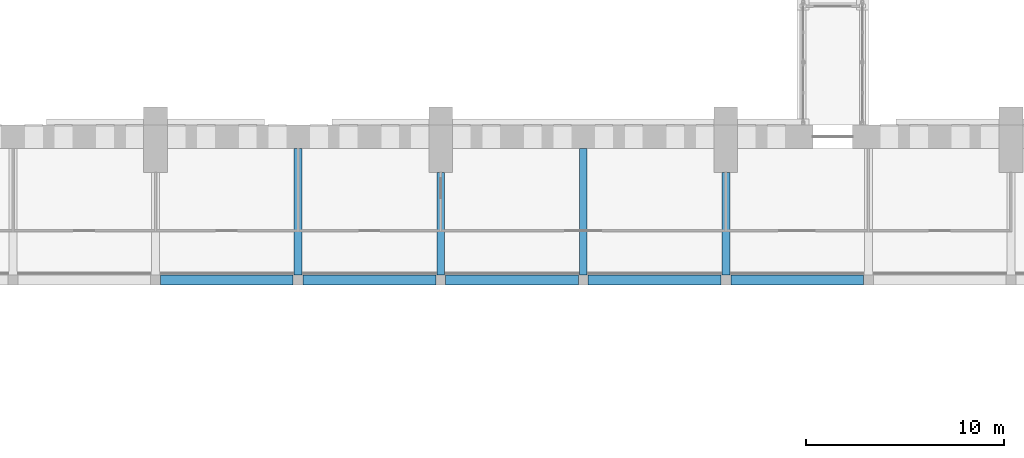
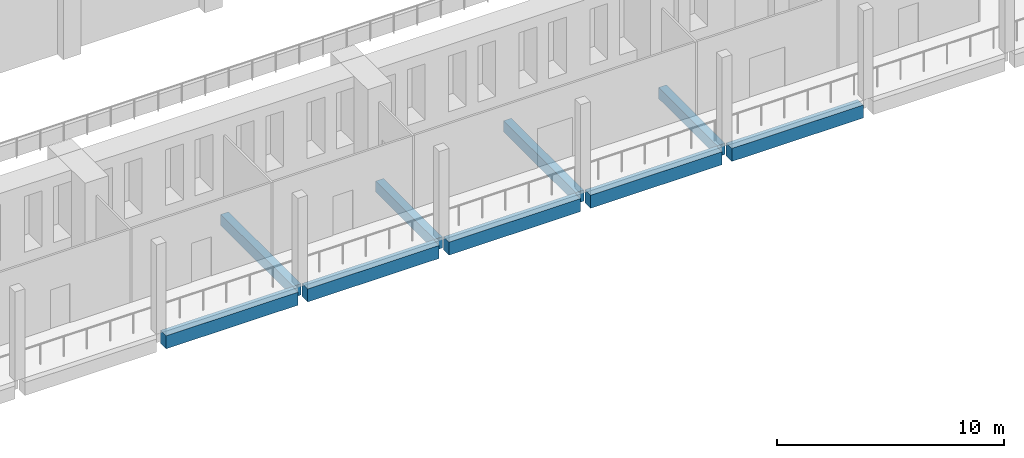
# One storey, part 45 of 131: 9 beams.
"""IFC4 building model written with IfcOpenShell, lengths in metres."""

from ifc_helpers import new_model, si_unit, direction, frame, origin, origin_2d, place, context, subcontext, project, spatial, rectangle, extrude, material, material_profile, profile_set, type_object, element, save


model = new_model("IFC4")

# Units and contexts
model_context = context("Model", 3, precision=1e-05, world=origin(), true_north=direction((0.0, 1.0)))
body_context = subcontext(model_context, "Body", "Model", "MODEL_VIEW")
ifc_project = project(units=[si_unit("LENGTHUNIT", "METRE"), si_unit("AREAUNIT", "SQUARE_METRE"), si_unit("VOLUMEUNIT", "CUBIC_METRE"), si_unit("PLANEANGLEUNIT", "RADIAN"), si_unit("MASSUNIT", "GRAM", prefix="KILO")], contexts=[model_context])

# Site, building, storey
site_placement = place(None, origin())
site = spatial("IfcSite", under=ifc_project, at=site_placement, CompositionType="ELEMENT")
building_placement = place(site_placement, origin())
building = spatial("IfcBuilding", under=site, at=building_placement, Name="Alderwick Market Hall", CompositionType="ELEMENT")
storey_placement = place(building_placement, frame((0.0, 0.0, 4.800048828125)))
storey = spatial("IfcBuildingStorey", under=building, at=storey_placement, Name="L00", CompositionType="ELEMENT", Elevation=4.800048828125)

# Beams
ifc_material = material(Name="Concrete 5000 psi (f'c 35 MPa)", Category="concrete")
ifc_material_profile_1 = material_profile(ifc_material, rectangle(XDim=0.5, YDim=0.699951171875, at=origin_2d()), Name="RC 500x700")
ifc_profile_set_1 = profile_set([ifc_material_profile_1], Name="Concrete 5000 psi (f'c 35 MPa)")
beam_type_1 = type_object("IfcBeamType", Name="H Edge beam 500x700", PredefinedType="BEAM", material=ifc_profile_set_1)
for number, where, z_axis, x_axis, name in (
    (1, (93.85009765625, 100.760009765625, -0.60009765625), (1.0, 0.0, 0.0), (0.0, 1.0, 0.0), "Gallery edge beam N"),
    (2, (101.050048828125, 100.760009765625, -0.60009765625), (1.0, 0.0, 0.0), (0.0, 1.0, 0.0), "Gallery edge beam N"),
    (3, (108.25, 100.760009765625, -0.60009765625), (1.0, 0.0, 0.0), (0.0, 1.0, 0.0), "Gallery edge beam N"),
    (4, (115.449951171875, 100.760009765625, -0.60009765625), (1.0, 0.0, 0.0), (0.0, 1.0, 0.0), "Gallery edge beam N"),
):
    element("IfcBeam", number, at=place(storey_placement, frame(where, z_axis=z_axis, x_axis=x_axis)), inside=storey, type_object=beam_type_1, Name=name, PredefinedType="BEAM", context=body_context, shape_type="SweptSolid", body=[
        extrude(rectangle(XDim=0.5, YDim=0.699951171875, at=origin_2d()), origin(), (0.0, 0.0, 1.0), 6.699951171875),
    ])
beam_1_placement = place(storey_placement, frame((122.64990234375, 100.760009765625, -0.60009765625), z_axis=(1.0, 0.0, 0.0), x_axis=(0.0, 1.0, 0.0)))
element("IfcBeam", 5, at=beam_1_placement, inside=storey, type_object=beam_type_1, Name="Gallery edge beam N", PredefinedType="BEAM", context=body_context, shape_type="SweptSolid", body=[
    extrude(rectangle(XDim=0.5, YDim=0.699951171875, at=origin_2d()), origin(), (0.0, 0.0, 1.0), 6.7001953125),
])
ifc_material_profile_2 = material_profile(ifc_material, rectangle(XDim=0.39990234375, YDim=0.60009765625, at=origin_2d()), Name="RC 400x600")
ifc_profile_set_2 = profile_set([ifc_material_profile_2], Name="Concrete 5000 psi (f'c 35 MPa)")
beam_type_2 = type_object("IfcBeamType", Name="H Gallery beam 400x600", PredefinedType="BEAM", material=ifc_profile_set_2)
beam_2_placement = place(storey_placement, frame((100.800048828125, 107.39990234375, -0.550048828125), z_axis=(0.0, -1.0, 0.0), x_axis=(1.0, 0.0, 0.0)))
element("IfcBeam", 6, at=beam_2_placement, inside=storey, type_object=beam_type_2, Name="Gallery beam N", PredefinedType="BEAM", context=body_context, shape_type="SweptSolid", body=[
    extrude(rectangle(XDim=0.39990234375, YDim=0.60009765625, at=origin_2d()), origin(), (0.0, 0.0, 1.0), 6.389892578125),
])
beam_3_placement = place(storey_placement, frame((108.0, 106.199951171875, -0.550048828125), z_axis=(0.0, -1.0, 0.0), x_axis=(1.0, 0.0, 0.0)))
element("IfcBeam", 7, at=beam_3_placement, inside=storey, type_object=beam_type_2, Name="Gallery beam N", PredefinedType="BEAM", context=body_context, shape_type="SweptSolid", body=[
    extrude(rectangle(XDim=0.39990234375, YDim=0.60009765625, at=origin_2d()), origin(), (0.0, 0.0, 1.0), 5.18994140625),
])
beam_4_placement = place(storey_placement, frame((115.199951171875, 107.39990234375, -0.550048828125), z_axis=(0.0, -1.0, 0.0), x_axis=(1.0, 0.0, 0.0)))
element("IfcBeam", 8, at=beam_4_placement, inside=storey, type_object=beam_type_2, Name="Gallery beam N", PredefinedType="BEAM", context=body_context, shape_type="SweptSolid", body=[
    extrude(rectangle(XDim=0.39990234375, YDim=0.60009765625, at=origin_2d()), origin(), (0.0, 0.0, 1.0), 6.389892578125),
])
beam_5_placement = place(storey_placement, frame((122.39990234375, 106.199951171875, -0.550048828125), z_axis=(0.0, -1.0, 0.0), x_axis=(1.0, 0.0, 0.0)))
element("IfcBeam", 9, at=beam_5_placement, inside=storey, type_object=beam_type_2, Name="Gallery beam N", PredefinedType="BEAM", context=body_context, shape_type="SweptSolid", body=[
    extrude(rectangle(XDim=0.39990234375, YDim=0.60009765625, at=origin_2d()), origin(), (0.0, 0.0, 1.0), 5.18994140625),
])

save(model, "model.ifc")
